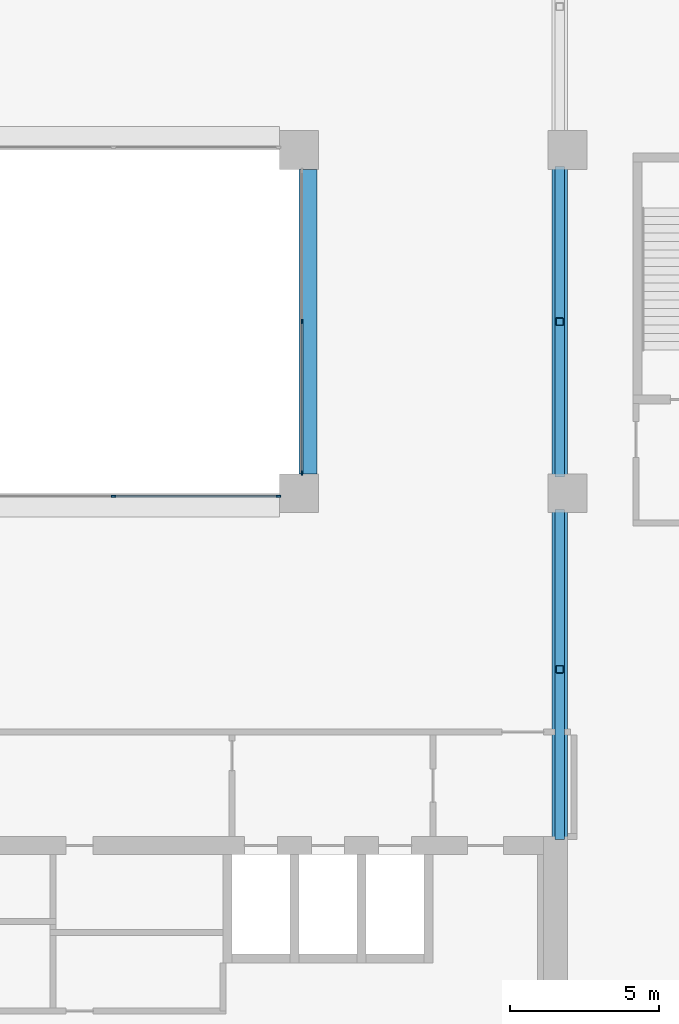
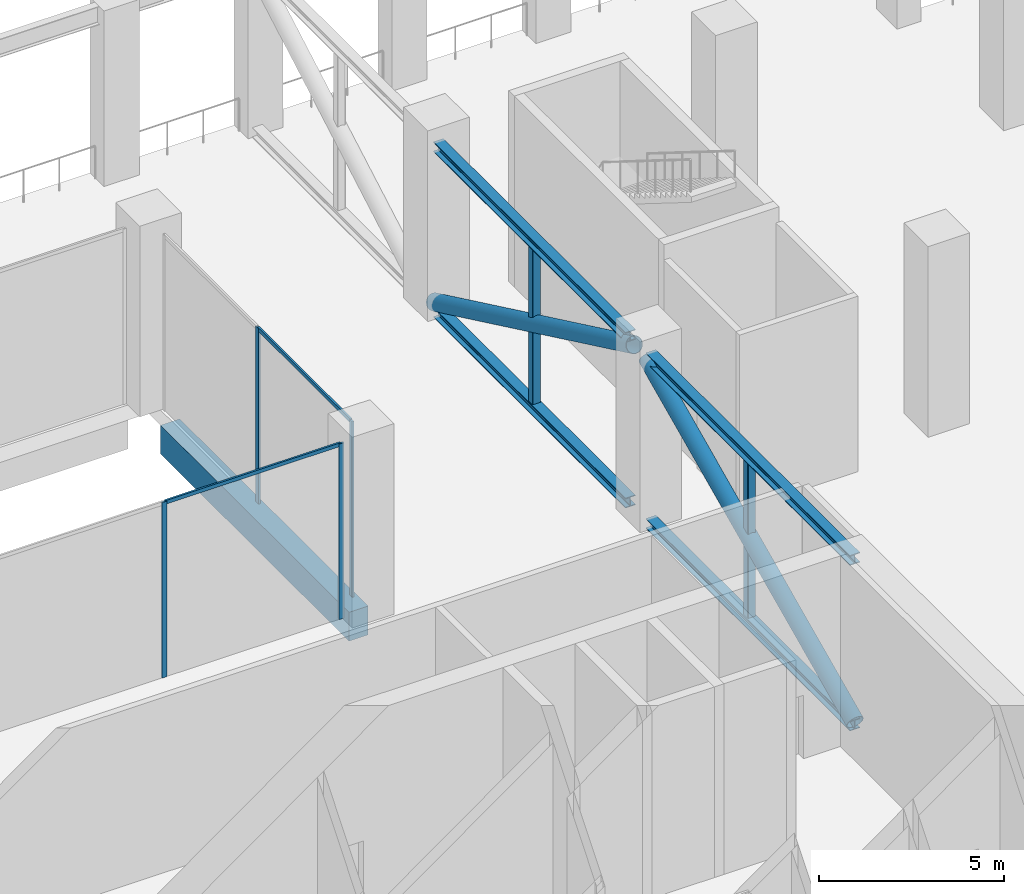
# One storey, part 5 of 14: 16 members, 1 beam, 2 elements without a shape of their own.
"""IFC4 building model written with IfcOpenShell, lengths in metres."""

from ifc_helpers import new_model, si_unit, direction, frame, origin, origin_2d, place, context, subcontext, project, spatial, rectangle, hollow_rectangle, hollow_circle, i_section, extrude, material, layer, layer_set, material_profile, profile_set, type_object, element, aggregate, save


model = new_model("IFC4")

# Units and contexts
model_context = context("Model", 3, precision=1e-05, world=origin(), true_north=direction((0.0, 1.0)))
body_context = subcontext(model_context, "Body", "Model", "MODEL_VIEW")
ifc_project = project(units=[si_unit("LENGTHUNIT", "METRE"), si_unit("AREAUNIT", "SQUARE_METRE"), si_unit("VOLUMEUNIT", "CUBIC_METRE"), si_unit("PLANEANGLEUNIT", "RADIAN"), si_unit("MASSUNIT", "GRAM", prefix="KILO")], contexts=[model_context])

# Site, building, storey
site_placement = place(None, origin())
site = spatial("IfcSite", under=ifc_project, at=site_placement, CompositionType="ELEMENT")
building_placement = place(site_placement, origin())
building = spatial("IfcBuilding", under=site, at=building_placement, Name="Brigalow Station Residences", CompositionType="ELEMENT")
storey_placement = place(building_placement, frame((0.0, 0.0, 130.800048828125)))
storey = spatial("IfcBuildingStorey", under=building, at=storey_placement, Name="L38", CompositionType="ELEMENT", Elevation=130.800048828125)

# Beam
ifc_material_1 = material(Name="Concrete C65", Category="concrete")
ifc_material_profile_1 = material_profile(ifc_material_1, rectangle(XDim=0.60009765625, YDim=0.949951171875, at=origin_2d()), Name="RC600x950")
ifc_profile_set_1 = profile_set([ifc_material_profile_1], Name="Concrete C65")
beam_type = type_object("IfcBeamType", Name="ATRIUM EDGE GIRDER 600x950 C65", PredefinedType="BEAM", material=ifc_profile_set_1)
beam_placement = place(storey_placement, frame((45.300048828125, 24.64990234375, -0.97509765625), z_axis=(0.0, 1.0, 0.0), x_axis=(-1.0, 0.0, 0.0)))
element("IfcBeam", 1, at=beam_placement, inside=storey, type_object=beam_type, Name="ATRIUM EDGE GIRDER 5 L38", PredefinedType="BEAM", context=body_context, shape_type="SweptSolid", body=[
    extrude(rectangle(XDim=0.60009765625, YDim=0.949951171875, at=origin_2d()), origin(), (0.0, 0.0, 1.0), 10.2001953125),
])

# Curtain wall, members
ifc_material_2 = material(Name="Aluminium", Category="aluminium")
ifc_layer = layer(ifc_material_2, 0.14990234375)
ifc_layer_set = layer_set([ifc_layer], Name="ATRIUM FIRE-RATED GLAZING CURTAIN WALL")
curtain_wall_type = type_object("IfcCurtainWallType", Name="ATRIUM FIRE-RATED GLAZING CURTAIN WALL", PredefinedType="NOTDEFINED", material=ifc_layer_set)
curtain_wall_1_placement = place(storey_placement, origin())
curtain_wall_1 = element("IfcCurtainWall", 2, at=curtain_wall_1_placement, inside=storey, type_object=curtain_wall_type, Name="L38/cw/atrium-S", PredefinedType="NOTDEFINED")
ifc_material_3 = material(Name="Aluminium", Category="aluminium")
ifc_material_profile_2 = material_profile(ifc_material_3, rectangle(XDim=0.06005859375, YDim=0.14990234375, at=origin_2d()), Name="ATRIUM FIRE-RATED GLAZING MULLION 60x150")
ifc_profile_set_2 = profile_set([ifc_material_profile_2], Name="Aluminium")
member_type_1 = type_object("IfcMemberType", Name="ATRIUM FIRE-RATED GLAZING MULLION 60x150", PredefinedType="MULLION", material=ifc_profile_set_2)
member_1_placement = place(storey_placement, frame((38.783203125, 23.89990234375, 0.0), z_axis=(0.0, 0.0, 1.0), x_axis=(0.0, 1.0, 0.0)))
member_1 = element("IfcMember", 3, at=member_1_placement, type_object=member_type_1, Name="L38/cw/atrium-S/M02", PredefinedType="MULLION", context=body_context, shape_type="SweptSolid", body=[
    extrude(rectangle(XDim=0.06005859375, YDim=0.14990234375, at=origin_2d()), origin(), (0.0, 0.0, 1.0), 5.800048828125),
])
member_2_placement = place(storey_placement, frame((44.320068359375, 23.89990234375, 0.0), z_axis=(0.0, 0.0, 1.0), x_axis=(0.0, 1.0, 0.0)))
member_2 = element("IfcMember", 4, at=member_2_placement, type_object=member_type_1, Name="L38/cw/atrium-S/M03", PredefinedType="MULLION", context=body_context, shape_type="SweptSolid", body=[
    extrude(rectangle(XDim=0.06005859375, YDim=0.14990234375, at=origin_2d()), origin(), (0.0, 0.0, 1.0), 5.800048828125),
])

curtain_wall_2_placement = place(storey_placement, origin())
curtain_wall_2 = element("IfcCurtainWall", 5, at=curtain_wall_2_placement, inside=storey, type_object=curtain_wall_type, Name="L38/cw/atrium-E", PredefinedType="NOTDEFINED")
member_3_placement = place(storey_placement, frame((45.10009765625, 24.679931640625, 0.0), z_axis=(0.0, 0.0, 1.0), x_axis=(-1.0, 0.0, 0.0)))
member_3 = element("IfcMember", 6, at=member_3_placement, type_object=member_type_1, Name="L38/cw/atrium-E/M00", PredefinedType="MULLION", context=body_context, shape_type="SweptSolid", body=[
    extrude(rectangle(XDim=0.06005859375, YDim=0.14990234375, at=origin_2d()), origin(), (0.0, 0.0, 1.0), 5.800048828125),
])
member_4_placement = place(storey_placement, frame((45.10009765625, 29.75, 0.0), z_axis=(0.0, 0.0, 1.0), x_axis=(-1.0, 0.0, 0.0)))
member_4 = element("IfcMember", 7, at=member_4_placement, type_object=member_type_1, Name="L38/cw/atrium-E/M01", PredefinedType="MULLION", context=body_context, shape_type="SweptSolid", body=[
    extrude(rectangle(XDim=0.06005859375, YDim=0.14990234375, at=origin_2d()), origin(), (0.0, 0.0, 1.0), 5.800048828125),
])

# Member
ifc_material_4 = material(Name="Aluminium", Category="aluminium")
ifc_material_profile_3 = material_profile(ifc_material_4, rectangle(XDim=0.06005859375, YDim=0.1201171875, at=origin_2d()), Name="ATRIUM FIRE-RATED GLAZING TRANSOM 60x120")
ifc_profile_set_3 = profile_set([ifc_material_profile_3], Name="Aluminium")
member_type_2 = type_object("IfcMemberType", Name="ATRIUM FIRE-RATED GLAZING TRANSOM 60x120", PredefinedType="USERDEFINED", material=ifc_profile_set_3)
member_5_placement = place(storey_placement, frame((38.813232421875, 23.89990234375, 5.77001953125), z_axis=(1.0, 0.0, 0.0), x_axis=(0.0, 1.0, 0.0)))
member_5 = element("IfcMember", 8, at=member_5_placement, type_object=member_type_2, Name="L38/cw/atrium-S/T02-00", ObjectType="TRANSOM", PredefinedType="USERDEFINED", context=body_context, shape_type="SweptSolid", body=[
    extrude(rectangle(XDim=0.06005859375, YDim=0.1201171875, at=origin_2d()), origin(), (0.0, 0.0, 1.0), 5.476806640625),
])

aggregate(curtain_wall_1, [member_1, member_2, member_5])

member_6_placement = place(storey_placement, frame((45.10009765625, 24.7099609375, 5.77001953125), z_axis=(0.0, 1.0, 0.0), x_axis=(-1.0, 0.0, 0.0)))
member_6 = element("IfcMember", 9, at=member_6_placement, type_object=member_type_2, Name="L38/cw/atrium-E/T00-00", ObjectType="TRANSOM", PredefinedType="USERDEFINED", context=body_context, shape_type="SweptSolid", body=[
    extrude(rectangle(XDim=0.06005859375, YDim=0.1201171875, at=origin_2d()), origin(), (0.0, 0.0, 1.0), 5.010009765625),
])

aggregate(curtain_wall_2, [member_3, member_4, member_6])

# Members
ifc_material_5 = material(Name="Steel Grade C350L0 to AS/NZS 1163", Category="steel")
ifc_material_profile_4 = material_profile(ifc_material_5, hollow_circle(Radius=0.25390625, WallThickness=0.0126953125, at=origin_2d()), Name="508.0x12.7CHS")
ifc_profile_set_4 = profile_set([ifc_material_profile_4], Name="Steel Grade C350L0 to AS/NZS 1163")
member_type_3 = type_object("IfcMemberType", Name="OUTRIGGER BRACE 508.0x12.7CHS", PredefinedType="BRACE", material=ifc_profile_set_4)
member_7_placement = place(storey_placement, frame((53.739990234375, 12.389404296875, 0.25146484375), z_axis=(0.0, 0.9071827931, 0.420736710905), x_axis=(-1.0, 0.0, 0.0)))
element("IfcMember", 10, at=member_7_placement, inside=storey, type_object=member_type_3, Name="OUTRIGGER BRACE E1 L38", PredefinedType="BRACE", context=body_context, shape_type="SweptSolid", body=[
    extrude(hollow_circle(Radius=0.25390625, WallThickness=0.0126953125, at=origin_2d()), origin(), (0.0, 0.0, 1.0), 12.40966796875),
])
member_8_placement = place(storey_placement, frame((53.739990234375, 24.34375, 5.47265625), z_axis=(0.0, 0.902967521244, -0.429708803236), x_axis=(-1.0, 0.0, 0.0)))
element("IfcMember", 11, at=member_8_placement, inside=storey, type_object=member_type_3, Name="OUTRIGGER BRACE E2 L38", PredefinedType="BRACE", context=body_context, shape_type="SweptSolid", body=[
    extrude(hollow_circle(Radius=0.25390625, WallThickness=0.0126953125, at=origin_2d()), origin(), (0.0, 0.0, 1.0), 11.974365234375),
])
ifc_material_6 = material(Name="Steel Grade 300 to AS/NZS 3679.1", Category="steel")
ifc_material_profile_5 = material_profile(ifc_material_6, i_section(OverallWidth=0.31103515625, OverallDepth=0.3271484375, WebThickness=0.015625, FlangeThickness=0.02490234375, FilletRadius=0.0166015625, at=origin_2d()), Name="310UC158")
ifc_profile_set_5 = profile_set([ifc_material_profile_5], Name="Steel Grade 300 to AS/NZS 3679.1")
member_type_4 = type_object("IfcMemberType", Name="OUTRIGGER CHORD 310UC158", PredefinedType="CHORD", material=ifc_profile_set_5)
member_9_placement = place(storey_placement, frame((53.739990234375, 12.39990234375, 0.16357421875), z_axis=(0.0, 1.0, 0.0), x_axis=(-1.0, 0.0, 0.0)))
element("IfcMember", 12, at=member_9_placement, inside=storey, type_object=member_type_4, Name="OUTRIGGER CHORD E LOWER 1 L38", PredefinedType="CHORD", context=body_context, shape_type="SweptSolid", body=[
    extrude(i_section(OverallWidth=0.31103515625, OverallDepth=0.3271484375, WebThickness=0.015625, FlangeThickness=0.02490234375, FilletRadius=0.0166015625, at=origin_2d()), origin(), (0.0, 0.0, 1.0), 11.050048828125),
])
member_10_placement = place(storey_placement, frame((53.739990234375, 24.550048828125, 0.16357421875), z_axis=(0.0, 1.0, 0.0), x_axis=(-1.0, 0.0, 0.0)))
element("IfcMember", 13, at=member_10_placement, inside=storey, type_object=member_type_4, Name="OUTRIGGER CHORD E LOWER 2 L38", PredefinedType="CHORD", context=body_context, shape_type="SweptSolid", body=[
    extrude(i_section(OverallWidth=0.31103515625, OverallDepth=0.3271484375, WebThickness=0.015625, FlangeThickness=0.02490234375, FilletRadius=0.0166015625, at=origin_2d()), origin(), (0.0, 0.0, 1.0), 10.39990234375),
])
member_11_placement = place(storey_placement, frame((53.739990234375, 12.39990234375, 5.63623046875), z_axis=(0.0, 1.0, 0.0), x_axis=(-1.0, 0.0, 0.0)))
element("IfcMember", 14, at=member_11_placement, inside=storey, type_object=member_type_4, Name="OUTRIGGER CHORD E UPPER 1 L38", PredefinedType="CHORD", context=body_context, shape_type="SweptSolid", body=[
    extrude(i_section(OverallWidth=0.31103515625, OverallDepth=0.3271484375, WebThickness=0.015625, FlangeThickness=0.02490234375, FilletRadius=0.0166015625, at=origin_2d()), origin(), (0.0, 0.0, 1.0), 11.050048828125),
])
member_12_placement = place(storey_placement, frame((53.739990234375, 24.550048828125, 5.63623046875), z_axis=(0.0, 1.0, 0.0), x_axis=(-1.0, 0.0, 0.0)))
element("IfcMember", 15, at=member_12_placement, inside=storey, type_object=member_type_4, Name="OUTRIGGER CHORD E UPPER 2 L38", PredefinedType="CHORD", context=body_context, shape_type="SweptSolid", body=[
    extrude(i_section(OverallWidth=0.31103515625, OverallDepth=0.3271484375, WebThickness=0.015625, FlangeThickness=0.02490234375, FilletRadius=0.0166015625, at=origin_2d()), origin(), (0.0, 0.0, 1.0), 10.39990234375),
])
ifc_material_7 = material(Name="Steel Grade C450L0 to AS/NZS 1163", Category="steel")
ifc_material_profile_6 = material_profile(ifc_material_7, hollow_rectangle(XDim=0.25, YDim=0.25, WallThickness=0.009033203125, InnerFilletRadius=0.013427734375, OuterFilletRadius=0.0224609375, at=origin_2d()), Name="250x250x9.0SHS")
ifc_profile_set_6 = profile_set([ifc_material_profile_6], Name="Steel Grade C450L0 to AS/NZS 1163")
member_type_5 = type_object("IfcMemberType", Name="OUTRIGGER POST 250x250x9.0SHS", PredefinedType="POST", material=ifc_profile_set_6)
for number, where, z_axis, x_axis, name in (
    (16, (53.739990234375, 18.10009765625, 0.3271484375), (0.0, 0.0, 1.0), (1.0, 0.0, 0.0), "OUTRIGGER POST E1L L38"),
    (17, (53.739990234375, 18.10009765625, 2.89990234375), (0.0, 0.0, 1.0), (1.0, 0.0, 0.0), "OUTRIGGER POST E1U L38"),
    (18, (53.739990234375, 29.75, 0.3271484375), (0.0, 0.0, 1.0), (1.0, 0.0, 0.0), "OUTRIGGER POST E2L L38"),
    (19, (53.739990234375, 29.75, 2.89990234375), (0.0, 0.0, 1.0), (1.0, 0.0, 0.0), "OUTRIGGER POST E2U L38"),
):
    element("IfcMember", number, at=place(storey_placement, frame(where, z_axis=z_axis, x_axis=x_axis)), inside=storey, type_object=member_type_5, Name=name, PredefinedType="POST", context=body_context, shape_type="SweptSolid", body=[
        extrude(hollow_rectangle(XDim=0.25, YDim=0.25, WallThickness=0.009033203125, InnerFilletRadius=0.013427734375, OuterFilletRadius=0.0224609375, at=origin_2d()), origin(), (0.0, 0.0, 1.0), 2.57275390625),
    ])

save(model, "model.ifc")
